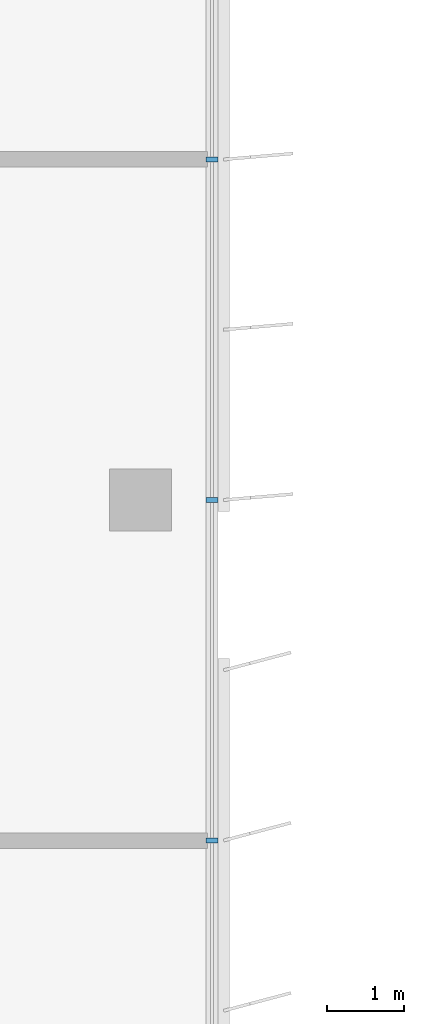
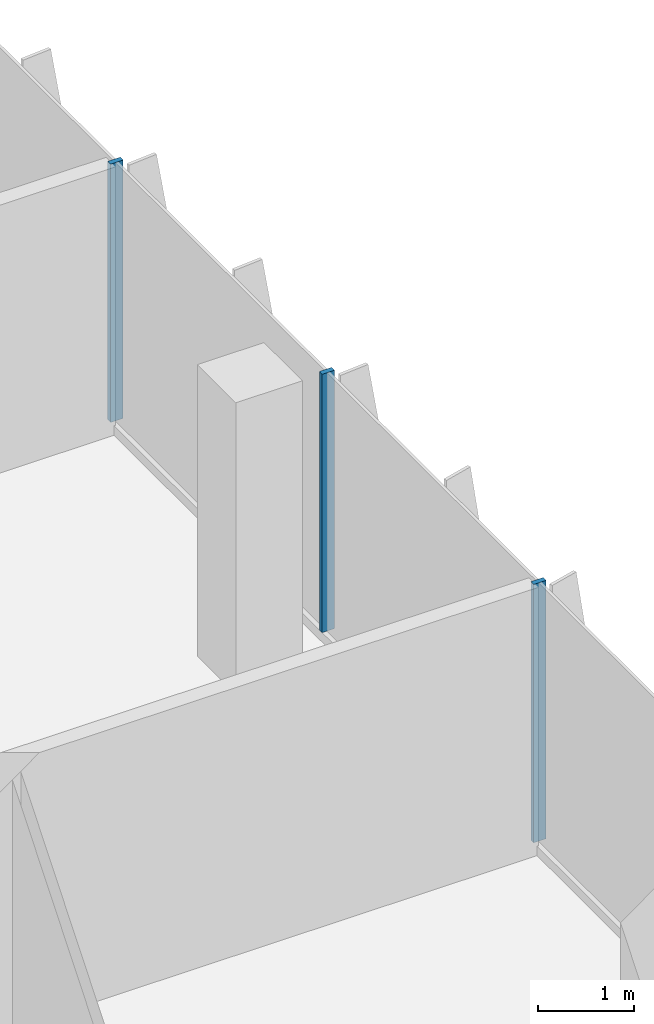
# One storey, part 4 of 15: 3 members, 1 element without a shape of its own.
"""IFC4 building model written with IfcOpenShell, lengths in metres."""

import ifcopenshell
import ifcopenshell.guid

model = None  # the IFC model being written
_history = None  # IfcOwnerHistory: only IFC2X3 demands one
_inside = {}  # id of a spatial element -> (the spatial element, [elements in it])
_under = {}  # id of a project, library or spatial element -> (it, [spatial elements below it])
_declared = {}  # id of a project -> (the project, [libraries it declares])
_typed = {}  # id of a type object -> (the type object, [elements of that type])
_made_of = {}  # id of a material, layer set ... -> (it, [elements and type objects made of it])


def new_model(schema):
    """Start an empty IFC model of exactly this schema.

    Asked for "IFC4X3", IfcOpenShell would pick the latest addendum, in which some entities
    have other attributes; the version numbers below select the first issue.
    IFC2X3 requires an IfcOwnerHistory on every rooted entity: one is made here for all.
    """
    global model, _history
    if schema == "IFC4X3":
        model = ifcopenshell.file(schema_version=(4, 3, 0, 0))
    else:
        model = ifcopenshell.file(schema=schema)
    _inside.clear()
    _under.clear()
    _declared.clear()
    _typed.clear()
    _made_of.clear()
    _history = None
    if model.schema == "IFC2X3":
        org = make("IfcOrganization", Name="unknown")
        user = make(
            "IfcPersonAndOrganization",
            ThePerson=make("IfcPerson", FamilyName="unknown"),
            TheOrganization=org,
        )
        app = make(
            "IfcApplication",
            ApplicationDeveloper=org,
            Version="unknown",
            ApplicationFullName="unknown",
            ApplicationIdentifier="unknown",
        )
        _history = make(
            "IfcOwnerHistory",
            OwningUser=user,
            OwningApplication=app,
            ChangeAction="ADDED",
            CreationDate=0,
        )
    return model


def make(cls, **values):
    """One entity of the class cls with the attributes given. An attribute that is None is left unset."""
    return model.create_entity(
        cls, **{name: value for name, value in values.items() if value is not None}
    )


def rooted(cls, **values):
    """An entity with a GlobalId (a new one), such as an element, a storey or a relation."""
    return make(cls, GlobalId=ifcopenshell.guid.new(), OwnerHistory=_history, **values)


def si_unit(unit_type, name, prefix=None):
    """IfcSIUnit, for example si_unit("LENGTHUNIT", "METRE", prefix="MILLI")."""
    return make("IfcSIUnit", UnitType=unit_type, Prefix=prefix, Name=name)


def assignment(units):
    """IfcUnitAssignment: the units of a project."""
    return None if units is None else make("IfcUnitAssignment", Units=units)


def point(xyz):
    """IfcCartesianPoint."""
    return None if xyz is None else make("IfcCartesianPoint", Coordinates=xyz)


def direction(xyz):
    """IfcDirection."""
    return None if xyz is None else make("IfcDirection", DirectionRatios=xyz)


def frame(location, z_axis=None, x_axis=None):
    """IfcAxis2Placement3D, a coordinate frame: its origin and axes. An axis left out is left unset."""
    return make(
        "IfcAxis2Placement3D",
        Location=point(location),
        Axis=direction(z_axis),
        RefDirection=direction(x_axis),
    )


def frame_2d(location, x_axis=None):
    """IfcAxis2Placement2D, a coordinate frame in the plane: its origin and x axis."""
    return make(
        "IfcAxis2Placement2D", Location=point(location), RefDirection=direction(x_axis)
    )


def origin():
    """The frame at (0, 0, 0) with its axes left unset."""
    return frame((0.0, 0.0, 0.0))


def origin_2d():
    """The frame at (0, 0) in the plane with its x axis left unset."""
    return frame_2d((0.0, 0.0))


def place(relative_to, where):
    """IfcLocalPlacement: puts the frame where relative to a parent placement (None: the world)."""
    return make(
        "IfcLocalPlacement", PlacementRelTo=relative_to, RelativePlacement=where
    )


def context(
    kind, dimensions, precision=None, world=None, true_north=None, identifier=None
):
    """IfcGeometricRepresentationContext, for example the 3D "Model" context."""
    return make(
        "IfcGeometricRepresentationContext",
        ContextIdentifier=identifier,
        ContextType=kind,
        CoordinateSpaceDimension=dimensions,
        Precision=precision,
        WorldCoordinateSystem=world,
        TrueNorth=true_north,
    )


def subcontext(parent, identifier, kind, view, scale=None):
    """IfcGeometricRepresentationSubContext, for example "Body" below "Model"."""
    return make(
        "IfcGeometricRepresentationSubContext",
        ContextIdentifier=identifier,
        ContextType=kind,
        ParentContext=parent,
        TargetScale=scale,
        TargetView=view,
    )


def project(units=None, contexts=None):
    """IfcProject with its units and contexts."""
    return rooted(
        "IfcProject",
        Name="project",
        RepresentationContexts=contexts,
        UnitsInContext=assignment(units),
    )


def spatial(cls, under=None, at=None, **own):
    """A site, building, storey or space (cls), placed at a placement, below another one or the project."""
    s = rooted(cls, ObjectPlacement=at, **own)
    if under is not None:
        _under.setdefault(under.id(), (under, []))[1].append(s)
    return s


def profile(cls, at=None, kind="AREA", **sizes):
    """A parametric profile (cls). Its sizes go by their IFC names, for example OverallWidth=200.0."""
    return make(cls, ProfileType=kind, Position=at, **sizes)


def rectangle(**sizes):
    """IfcRectangleProfileDef."""
    return profile("IfcRectangleProfileDef", **sizes)


def extrude(swept, where, along, depth):
    """IfcExtrudedAreaSolid: the profile swept, set in the frame where, extruded along a direction by depth."""
    return make(
        "IfcExtrudedAreaSolid",
        SweptArea=swept,
        Position=where,
        ExtrudedDirection=direction(along),
        Depth=depth,
    )


def shape(context_of_items, identifier, shape_type, items):
    """IfcShapeRepresentation: the items that make up one representation, for example the "Body"."""
    return make(
        "IfcShapeRepresentation",
        ContextOfItems=context_of_items,
        RepresentationIdentifier=identifier,
        RepresentationType=shape_type,
        Items=items,
    )


def source(mapping_origin, context_of_items, identifier, shape_type, items):
    """IfcRepresentationMap: a shape defined once, which mapped items show again and again."""
    return make(
        "IfcRepresentationMap",
        MappingOrigin=mapping_origin,
        MappedRepresentation=shape(context_of_items, identifier, shape_type, items),
    )


def transform(
    local_origin,
    x_axis=None,
    y_axis=None,
    z_axis=None,
    scale=None,
    scale2=None,
    scale3=None,
    uniform=True,
):
    """IfcCartesianTransformationOperator3D, or its non-uniform kind. x_axis, y_axis, z_axis: its Axis1, 2, 3."""
    if uniform:
        return make(
            "IfcCartesianTransformationOperator3D",
            Axis1=direction(x_axis),
            Axis2=direction(y_axis),
            LocalOrigin=point(local_origin),
            Scale=scale,
            Axis3=direction(z_axis),
        )
    return make(
        "IfcCartesianTransformationOperator3DnonUniform",
        Axis1=direction(x_axis),
        Axis2=direction(y_axis),
        LocalOrigin=point(local_origin),
        Scale=scale,
        Axis3=direction(z_axis),
        Scale2=scale2,
        Scale3=scale3,
    )


def mapped(mapping_source, mapping_target):
    """IfcMappedItem: shows the shape of a source again, moved by a transform."""
    return make(
        "IfcMappedItem", MappingSource=mapping_source, MappingTarget=mapping_target
    )


def material(Name=None, Category=None):
    """IfcMaterial."""
    return make("IfcMaterial", Name=Name, Category=Category)


def material_profile(
    of_material, cross_section, Name=None, Category=None, Priority=None
):
    """IfcMaterialProfile: a cross section and its material."""
    return make(
        "IfcMaterialProfile",
        Name=Name,
        Material=of_material,
        Profile=cross_section,
        Priority=Priority,
        Category=Category,
    )


def profile_set(profiles, Name=None, composite=None):
    """IfcMaterialProfileSet."""
    return make(
        "IfcMaterialProfileSet",
        Name=Name,
        MaterialProfiles=profiles,
        CompositeProfile=composite,
    )


def made_of(thing, what):
    """Note that an element or type object is made of a material, layer set ...; save() writes the relation."""
    if what is not None:
        _made_of.setdefault(what.id(), (what, []))[1].append(thing)
    return thing


def type_object(cls, material=None, **own):
    """A type object (cls), such as IfcWallType, which elements share."""
    return made_of(rooted(cls, **own), material)


def element(
    cls,
    number,
    at=None,
    inside=None,
    cuts=None,
    type_object=None,
    material=None,
    context=None,
    identifier="Body",
    shape_type=None,
    held_by="IfcProductDefinitionShape",
    body=None,
    shapes=None,
    **own,
):
    """One element of the class cls, such as IfcWall. Its Tag is "e" and its number.

    at: its placement. inside: the storey or other place that contains it. cuts: it is an
    opening in that element (IfcRelVoidsElement). A single representation is given by context,
    identifier, shape_type and body (its items); several are given by shapes. held_by: the class
    of the entity that holds the representations. save() writes the other relations.
    """
    e = rooted(cls, Tag="e%d" % number, ObjectPlacement=at, **own)
    if body is not None:
        shapes = [shape(context, identifier, shape_type, body)]
    if shapes is not None:
        e.Representation = make(held_by, Representations=shapes)
    if inside is not None:
        _inside.setdefault(inside.id(), (inside, []))[1].append(e)
    if cuts is not None:
        rooted(
            "IfcRelVoidsElement", RelatingBuildingElement=cuts, RelatedOpeningElement=e
        )
    if type_object is not None:
        _typed.setdefault(type_object.id(), (type_object, []))[1].append(e)
    return made_of(e, material)


def aggregate(whole, parts):
    """IfcRelAggregates: a whole, such as a stair, and the parts it consists of."""
    return rooted("IfcRelAggregates", RelatingObject=whole, RelatedObjects=parts)


def save(model, path):
    """Write the relations noted so far, then the file.

    IfcRelAggregates (storeys below a building ...), IfcRelContainedInSpatialStructure (elements
    in a storey), IfcRelDefinesByType, IfcRelAssociatesMaterial and IfcRelDeclares: one each for
    every whole, place, type object, material and project.
    """
    for whole, parts in _under.values():
        aggregate(whole, parts)
    for where, things in _inside.values():
        rooted(
            "IfcRelContainedInSpatialStructure",
            RelatedElements=things,
            RelatingStructure=where,
        )
    for kind, things in _typed.values():
        rooted("IfcRelDefinesByType", RelatedObjects=things, RelatingType=kind)
    for what, things in _made_of.values():
        rooted("IfcRelAssociatesMaterial", RelatedObjects=things, RelatingMaterial=what)
    for by, libraries in _declared.values():
        rooted("IfcRelDeclares", RelatingContext=by, RelatedDefinitions=libraries)
    model.write(path)


model = new_model("IFC4")

# Units and contexts
model_context = context("Model", 3, precision=1e-05, world=origin(), true_north=direction((0.0, 1.0)))
body_context = subcontext(model_context, "Body", "Model", "MODEL_VIEW")
ifc_project = project(units=[si_unit("LENGTHUNIT", "METRE"), si_unit("AREAUNIT", "SQUARE_METRE"), si_unit("VOLUMEUNIT", "CUBIC_METRE"), si_unit("PLANEANGLEUNIT", "RADIAN"), si_unit("MASSUNIT", "GRAM", prefix="KILO")], contexts=[model_context])

# Site, building, storey
site_placement = place(None, origin())
site = spatial("IfcSite", under=ifc_project, at=site_placement, CompositionType="ELEMENT")
building_placement = place(site_placement, origin())
building = spatial("IfcBuilding", under=site, at=building_placement, Name="Kemantara Hotel Tower", CompositionType="ELEMENT")
storey_placement = place(building_placement, frame((0.0, 0.0, 301.800048828125)))
storey = spatial("IfcBuildingStorey", under=building, at=storey_placement, Name="L76", CompositionType="ELEMENT", Elevation=301.800048828125)

# Curtain wall, members
ifc_material_1 = material(Name="Low-E tinted double insulated glass 36 mm", Category="glass")
curtain_wall_type = type_object("IfcCurtainWallType", Name="TOWER CURTAIN WALL, FRONT FACES", PredefinedType="USERDEFINED", material=ifc_material_1)
curtain_wall_placement = place(storey_placement, origin())
curtain_wall = element("IfcCurtainWall", 1, at=curtain_wall_placement, inside=storey, type_object=curtain_wall_type, Name="CW4 L76 T4-R15-1", ObjectType="TOWER CURTAIN WALL, FRONT FACES", PredefinedType="USERDEFINED")
ifc_material_2 = material(Name="Aluminium 6063-T6 bronze anodised", Category="aluminium")
ifc_material_profile = material_profile(ifc_material_2, rectangle(XDim=0.14990234375, YDim=0.06005859375, at=origin_2d()), Name="TOWER CURTAIN WALL, FRONT FACES MULLION")
ifc_profile_set = profile_set([ifc_material_profile], Name="Aluminium 6063-T6 bronze anodised")
member_type = type_object("IfcMemberType", Name="TOWER CURTAIN WALL, FRONT FACES MULLION", PredefinedType="MULLION", material=ifc_profile_set)
shared_shape = source(origin(), body_context, "Body", "SweptSolid", [
    extrude(rectangle(XDim=0.14990234375, YDim=0.06005859375, at=origin_2d()), origin(), (0.0, 0.0, 1.0), 3.280029296875),
])
member_1_placement = place(storey_placement, frame((21.925048828125, 31.800048828125, 0.119873046875), z_axis=(0.0, 0.0, 1.0), x_axis=(-1.0, 0.0, 0.0)))
member_1 = element("IfcMember", 2, at=member_1_placement, type_object=member_type, Name="CW4 mullion T4-R15-1.3", PredefinedType="MULLION", context=body_context, shape_type="MappedRepresentation", body=[
    mapped(shared_shape, transform((0.0, 0.0, 0.0))),
])
member_2_placement = place(storey_placement, frame((21.925048828125, 36.199951171875, 0.119873046875), z_axis=(0.0, 0.0, 1.0), x_axis=(-1.0, 0.0, 0.0)))
member_2 = element("IfcMember", 3, at=member_2_placement, type_object=member_type, Name="CW4 mullion T4-R15-1.4", PredefinedType="MULLION", context=body_context, shape_type="MappedRepresentation", body=[
    mapped(shared_shape, transform((0.0, 0.0, 0.0))),
])
member_3_placement = place(storey_placement, frame((21.925048828125, 40.60009765625, 0.119873046875), z_axis=(0.0, 0.0, 1.0), x_axis=(-1.0, 0.0, 0.0)))
member_3 = element("IfcMember", 4, at=member_3_placement, type_object=member_type, Name="CW4 mullion T4-R15-1.5", PredefinedType="MULLION", context=body_context, shape_type="MappedRepresentation", body=[
    mapped(shared_shape, transform((0.0, 0.0, 0.0))),
])
aggregate(curtain_wall, [member_1, member_2, member_3])

save(model, "model.ifc")
